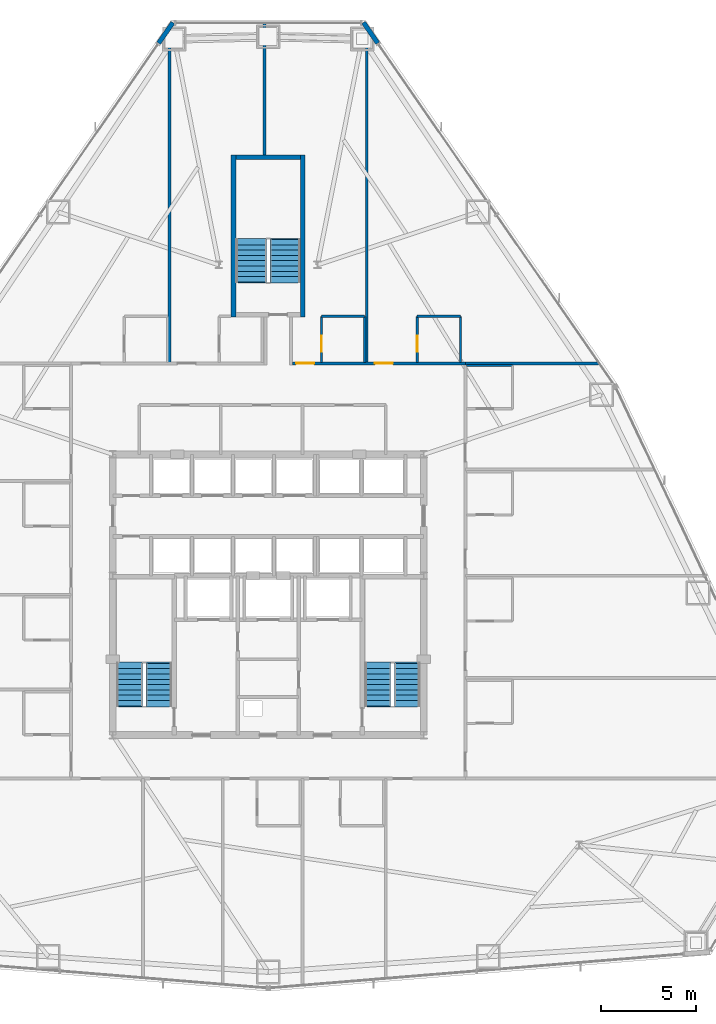
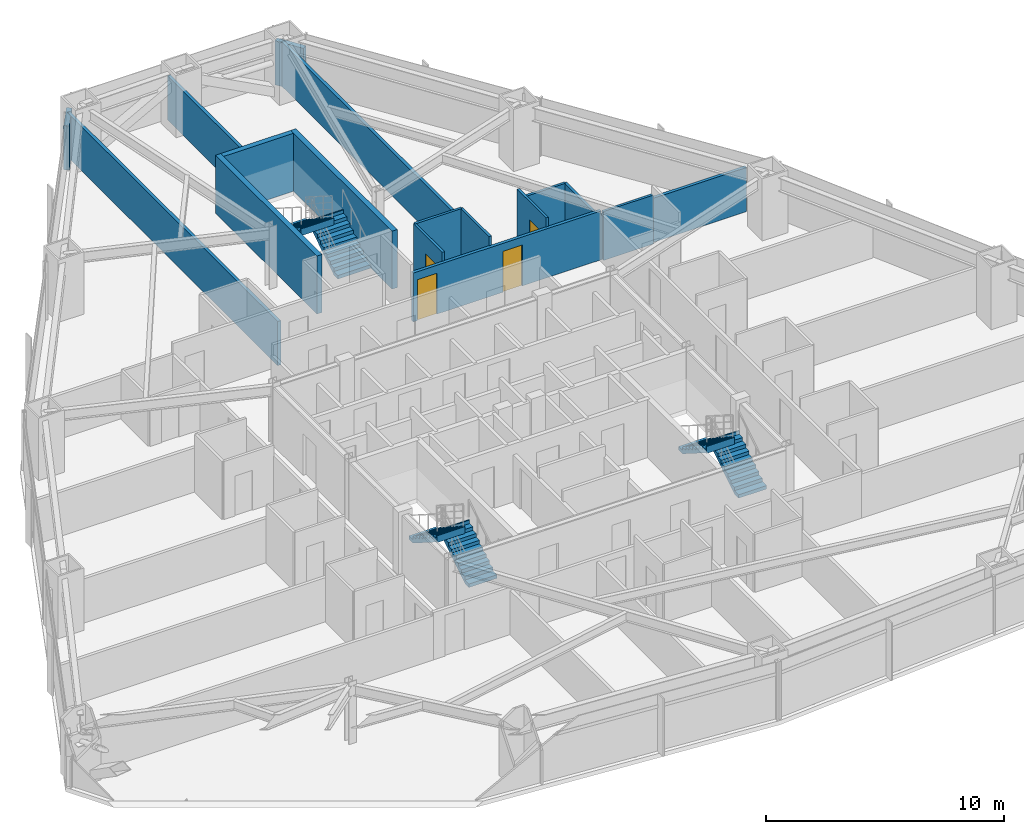
# One storey, part 12 of 13: 17 walls, 6 stair flights, 4 doors, 4 openings, 3 elements without a shape of their own.
"""IFC4 building model written with IfcOpenShell, lengths in metres."""

from ifc_helpers import new_model, si_unit, direction, frame, frame_2d, origin, place, context, subcontext, project, spatial, polyline, rectangle, outline, extrude, material, layer, layer_set, type_object, element, fill, aggregate, save


model = new_model("IFC4")

# Units and contexts
model_context = context("Model", 3, precision=1e-05, world=origin(), true_north=direction((0.0, 1.0)))
body_context = subcontext(model_context, "Body", "Model", "MODEL_VIEW")
ifc_project = project(units=[si_unit("LENGTHUNIT", "METRE"), si_unit("AREAUNIT", "SQUARE_METRE"), si_unit("VOLUMEUNIT", "CUBIC_METRE"), si_unit("PLANEANGLEUNIT", "RADIAN"), si_unit("MASSUNIT", "GRAM", prefix="KILO")], contexts=[model_context])

# Site, building, storey
site_placement = place(None, origin())
site = spatial("IfcSite", under=ifc_project, at=site_placement, CompositionType="ELEMENT")
building_placement = place(site_placement, origin())
building = spatial("IfcBuilding", under=site, at=building_placement, Name="Varakhsha Concourse Tower", CompositionType="ELEMENT")
storey_placement = place(building_placement, frame((0.0, 0.0, 46.39990234375)))
storey = spatial("IfcBuildingStorey", under=building, at=storey_placement, Name="L12", CompositionType="ELEMENT", Elevation=46.39990234375)

# Walls
ifc_material_1 = material(Name="Concrete fc 45 MPa", Category="concrete")
ifc_layer_1 = layer(ifc_material_1, 0.239990234375, Name="WL-EXT-CRN-240")
ifc_layer_set_1 = layer_set([ifc_layer_1], Name="Concrete fc 45 MPa")
wall_type_1 = type_object("IfcWallType", Name="WL-EXT-CRN-240", PredefinedType="SHEAR", material=ifc_layer_set_1)
for number, where, z_axis, x_axis, name in (
    (1, (34.972900390625, 53.982421875, 0.0), (0.0, 0.0, 1.0), (-0.569066739455, -0.82229133891, 0.0), "L12 Wind-Corner Shoulder Wall F2"),
    (2, (45.78369140625, 52.88916015625, 0.0), (0.0, 0.0, 1.0), (-0.569066739455, 0.82229133891, 0.0), "L12 Wind-Corner Shoulder Wall F9"),
):
    element("IfcWall", number, at=place(storey_placement, frame(where, z_axis=z_axis, x_axis=x_axis)), inside=storey, type_object=wall_type_1, Name=name, PredefinedType="SHEAR", context=body_context, shape_type="SweptSolid", body=[
        extrude(rectangle(XDim=1.32958984375, YDim=0.239990234375, at=frame_2d((0.664794921875, 0.0))), origin(), (0.0, 0.0, 1.0), 2.26318359375),
    ])
ifc_material_2 = material(Name="Acoustic Gypsum Board Partition Assembly", Category="gypsum")
ifc_layer_2 = layer(ifc_material_2, 0.1201171875, Name="WL-PART-120")
ifc_layer_set_2 = layer_set([ifc_layer_2], Name="Acoustic Gypsum Board Partition Assembly")
wall_type_2 = type_object("IfcWallType", Name="WL-PART-120", PredefinedType="PARTITIONING", material=ifc_layer_set_2)
wall_1_placement = place(storey_placement, frame((50.4599609375, 35.889892578125, 0.0), z_axis=(0.0, 0.0, 1.0), x_axis=(1.0, 0.0, 0.0)))
element("IfcWall", 3, at=wall_1_placement, inside=storey, type_object=wall_type_2, Name="L12 Wall ENSW-N-L12-H13", PredefinedType="PARTITIONING", context=body_context, shape_type="SweptSolid", body=[
    extrude(rectangle(XDim=2.429931640625, YDim=0.1201171875, at=frame_2d((1.21484375, 0.0))), origin(), (0.0, 0.0, 1.0), 2.51318359375),
])

# Wall, opening, door
wall_2_placement = place(storey_placement, frame((42.81005859375, 36.06005859375, 0.0), z_axis=(0.0, 0.0, 1.0), x_axis=(0.0, 1.0, 0.0)))
wall_2 = element("IfcWall", 4, at=wall_2_placement, inside=storey, type_object=wall_type_2, Name="L12 Wall ENSW-W-L12-H16", PredefinedType="PARTITIONING", context=body_context, shape_type="SweptSolid", body=[
    extrude(rectangle(XDim=2.429931640625, YDim=0.1201171875, at=frame_2d((1.21484375, 0.0))), origin(), (0.0, 0.0, 1.0), 2.97998046875),
])
opening_1_placement = place(wall_2_placement, frame((0.550048828125, 0.0, 0.0)))
opening_1 = element("IfcOpeningElement", 5, at=opening_1_placement, cuts=wall_2, Name="Opening DI-01", PredefinedType="OPENING", context=body_context, shape_type="SweptSolid", body=[
    extrude(rectangle(XDim=0.85009765625, YDim=2.050048828125, at=frame_2d((0.425048828125, 1.02490234375))), frame((0.0, 0.070068359375, 0.0), z_axis=(0.0, -1.0, 0.0), x_axis=(1.0, 0.0, 0.0)), (0.0, 0.0, 1.0), 0.14013671875),
])
ifc_material_3 = material(Name="Architectural Walnut Acoustic Timber Door", Category="wood")
door_type_1 = type_object("IfcDoorType", Name="DR-INT-850", OperationType="NOTDEFINED", PredefinedType="DOOR", material=ifc_material_3)
door_1_placement = place(opening_1_placement, origin())
door_1 = element("IfcDoor", 6, at=door_1_placement, inside=storey, type_object=door_type_1, Name="L12 En-suite Bathroom Door L12-H16", OperationType="SINGLE_SWING_RIGHT", OverallHeight=2.050048828125, OverallWidth=0.85009765625, PredefinedType="DOOR", context=body_context, shape_type="SweptSolid", body=[
    extrude(rectangle(XDim=0.85009765625, YDim=2.050048828125, at=frame_2d((0.425048828125, 1.02490234375))), frame((0.0, 0.02490234375, 0.0), z_axis=(0.0, -1.0, 0.0), x_axis=(1.0, 0.0, 0.0)), (0.0, 0.0, 1.0), 0.050048828125),
])
fill(opening_1, door_1)

# Walls
wall_3_placement = place(storey_placement, frame((45.090087890625, 36.06005859375, 0.0), z_axis=(0.0, 0.0, 1.0), x_axis=(0.0, 1.0, 0.0)))
element("IfcWall", 7, at=wall_3_placement, inside=storey, type_object=wall_type_2, Name="L12 Wall ENSW-E-L12-H16", PredefinedType="PARTITIONING", context=body_context, shape_type="SweptSolid", body=[
    extrude(rectangle(XDim=2.429931640625, YDim=0.1201171875, at=frame_2d((1.21484375, 0.0))), origin(), (0.0, 0.0, 1.0), 2.97998046875),
])
wall_4_placement = place(storey_placement, frame((42.81005859375, 38.489990234375, 0.0), z_axis=(0.0, 0.0, 1.0), x_axis=(1.0, 0.0, 0.0)))
element("IfcWall", 8, at=wall_4_placement, inside=storey, type_object=wall_type_2, Name="L12 Wall ENSW-N-L12-H16", PredefinedType="PARTITIONING", context=body_context, shape_type="SweptSolid", body=[
    extrude(rectangle(XDim=2.280029296875, YDim=0.1201171875, at=frame_2d((1.14013671875, 0.0))), origin(), (0.0, 0.0, 1.0), 2.97998046875),
])

# Wall, opening, door
wall_5_placement = place(storey_placement, frame((47.860107421875, 36.06005859375, 0.0), z_axis=(0.0, 0.0, 1.0), x_axis=(0.0, 1.0, 0.0)))
wall_5 = element("IfcWall", 9, at=wall_5_placement, inside=storey, type_object=wall_type_2, Name="L12 Wall ENSW-W-L12-H17", PredefinedType="PARTITIONING", context=body_context, shape_type="SweptSolid", body=[
    extrude(rectangle(XDim=2.429931640625, YDim=0.1201171875, at=frame_2d((1.21484375, 0.0))), origin(), (0.0, 0.0, 1.0), 2.97998046875),
])
opening_2_placement = place(wall_5_placement, frame((0.550048828125, 0.0, 0.0)))
opening_2 = element("IfcOpeningElement", 10, at=opening_2_placement, cuts=wall_5, Name="Opening DI-01", PredefinedType="OPENING", context=body_context, shape_type="SweptSolid", body=[
    extrude(rectangle(XDim=0.85009765625, YDim=2.050048828125, at=frame_2d((0.425048828125, 1.02490234375))), frame((0.0, 0.070068359375, 0.0), z_axis=(0.0, -1.0, 0.0), x_axis=(1.0, 0.0, 0.0)), (0.0, 0.0, 1.0), 0.14013671875),
])
door_2_placement = place(opening_2_placement, origin())
door_2 = element("IfcDoor", 11, at=door_2_placement, inside=storey, type_object=door_type_1, Name="L12 En-suite Bathroom Door L12-H17", OperationType="SINGLE_SWING_RIGHT", OverallHeight=2.050048828125, OverallWidth=0.85009765625, PredefinedType="DOOR", context=body_context, shape_type="SweptSolid", body=[
    extrude(rectangle(XDim=0.85009765625, YDim=2.050048828125, at=frame_2d((0.425048828125, 1.02490234375))), frame((0.0, 0.02490234375, 0.0), z_axis=(0.0, -1.0, 0.0), x_axis=(1.0, 0.0, 0.0)), (0.0, 0.0, 1.0), 0.050048828125),
])
fill(opening_2, door_2)

# Walls
wall_6_placement = place(storey_placement, frame((50.139892578125, 36.06005859375, 0.0), z_axis=(0.0, 0.0, 1.0), x_axis=(0.0, 1.0, 0.0)))
element("IfcWall", 12, at=wall_6_placement, inside=storey, type_object=wall_type_2, Name="L12 Wall ENSW-E-L12-H17", PredefinedType="PARTITIONING", context=body_context, shape_type="SweptSolid", body=[
    extrude(rectangle(XDim=2.429931640625, YDim=0.1201171875, at=frame_2d((1.21484375, 0.0))), origin(), (0.0, 0.0, 1.0), 2.51318359375),
])
wall_7_placement = place(storey_placement, frame((47.860107421875, 38.489990234375, 0.0), z_axis=(0.0, 0.0, 1.0), x_axis=(1.0, 0.0, 0.0)))
element("IfcWall", 13, at=wall_7_placement, inside=storey, type_object=wall_type_2, Name="L12 Wall ENSW-N-L12-H17", PredefinedType="PARTITIONING", context=body_context, shape_type="SweptSolid", body=[
    extrude(rectangle(XDim=2.27978515625, YDim=0.1201171875, at=frame_2d((1.139892578125, 0.0))), origin(), (0.0, 0.0, 1.0), 2.51318359375),
])

# Wall, openings, doors
ifc_material_4 = material(Name="Fire-Rated Type X Gypsum Partition Assembly", Category="gypsum")
ifc_layer_3 = layer(ifc_material_4, 0.14990234375, Name="WL-PART-150")
ifc_layer_set_3 = layer_set([ifc_layer_3], Name="Fire-Rated Type X Gypsum Partition Assembly")
wall_type_3 = type_object("IfcWallType", Name="WL-PART-150", PredefinedType="PARTITIONING", material=ifc_layer_set_3)
wall_8_placement = place(storey_placement, frame((41.27490234375, 36.0, 0.0), z_axis=(0.0, 0.0, 1.0), x_axis=(1.0, 0.0, 0.0)))
wall_8 = element("IfcWall", 14, at=wall_8_placement, inside=storey, type_object=wall_type_3, Name="L12 Wall CRW-N-L12-B", PredefinedType="PARTITIONING", context=body_context, shape_type="SweptSolid", body=[
    extrude(rectangle(XDim=9.125, YDim=0.14990234375, at=frame_2d((4.5625, 0.0))), origin(), (0.0, 0.0, 1.0), 2.51318359375),
])
opening_3_placement = place(wall_8_placement, frame((0.199951171875, 0.0, 0.0)))
opening_3 = element("IfcOpeningElement", 15, at=opening_3_placement, cuts=wall_8, Name="Opening DF-05", PredefinedType="OPENING", context=body_context, shape_type="SweptSolid", body=[
    extrude(rectangle(XDim=0.949951171875, YDim=2.10009765625, at=frame_2d((0.47509765625, 1.050048828125))), frame((0.0, 0.0849609375, 0.0), z_axis=(0.0, -1.0, 0.0), x_axis=(1.0, 0.0, 0.0)), (0.0, 0.0, 1.0), 0.169921875),
])
opening_4_placement = place(wall_8_placement, frame((4.344970703125, 0.0, 0.0)))
opening_4 = element("IfcOpeningElement", 16, at=opening_4_placement, cuts=wall_8, Name="Opening DF-05", PredefinedType="OPENING", context=body_context, shape_type="SweptSolid", body=[
    extrude(rectangle(XDim=0.949951171875, YDim=2.10009765625, at=frame_2d((0.47509765625, 1.050048828125))), frame((0.0, 0.0849609375, 0.0), z_axis=(0.0, -1.0, 0.0), x_axis=(1.0, 0.0, 0.0)), (0.0, 0.0, 1.0), 0.169921875),
])
ifc_material_5 = material(Name="Hollow Galvanised Steel Fire Door Assembly", Category="steel")
door_type_2 = type_object("IfcDoorType", Name="DR-FD60-950", OperationType="NOTDEFINED", PredefinedType="DOOR", material=ifc_material_5)
door_3_placement = place(opening_3_placement, origin())
door_3 = element("IfcDoor", 17, at=door_3_placement, inside=storey, type_object=door_type_2, Name="L12 Hotel Corner Suite L12-H16 Entry Door", OperationType="SINGLE_SWING_RIGHT", OverallHeight=2.10009765625, OverallWidth=0.949951171875, PredefinedType="DOOR", context=body_context, shape_type="SweptSolid", body=[
    extrude(rectangle(XDim=0.949951171875, YDim=2.10009765625, at=frame_2d((0.47509765625, 1.050048828125))), frame((0.0, 0.02490234375, 0.0), z_axis=(0.0, -1.0, 0.0), x_axis=(1.0, 0.0, 0.0)), (0.0, 0.0, 1.0), 0.050048828125),
])
fill(opening_3, door_3)
door_4_placement = place(opening_4_placement, origin())
door_4 = element("IfcDoor", 18, at=door_4_placement, inside=storey, type_object=door_type_2, Name="L12 Hotel Corner Suite L12-H17 Entry Door", OperationType="SINGLE_SWING_LEFT", OverallHeight=2.10009765625, OverallWidth=0.949951171875, PredefinedType="DOOR", context=body_context, shape_type="SweptSolid", body=[
    extrude(rectangle(XDim=0.949951171875, YDim=2.10009765625, at=frame_2d((0.47509765625, 1.050048828125))), frame((0.0, 0.02490234375, 0.0), z_axis=(0.0, -1.0, 0.0), x_axis=(1.0, 0.0, 0.0)), (0.0, 0.0, 1.0), 0.050048828125),
])
fill(opening_4, door_4)

# Walls
wall_9_placement = place(storey_placement, frame((50.39990234375, 36.0, 0.0), z_axis=(0.0, 0.0, 1.0), x_axis=(1.0, 0.0, 0.0)))
element("IfcWall", 19, at=wall_9_placement, inside=storey, type_object=wall_type_3, Name="L12 Wall HDIV-EBN-L12", PredefinedType="PARTITIONING", context=body_context, shape_type="SweptSolid", body=[
    extrude(rectangle(XDim=7.0654296875, YDim=0.14990234375, at=frame_2d((3.53271484375, 0.0))), origin(), (0.0, 0.0, 1.0), 2.26806640625),
])
wall_10_placement = place(storey_placement, frame((34.800048828125, 36.0, 0.0), z_axis=(0.0, 0.0, 1.0), x_axis=(0.0, 1.0, 0.0)))
element("IfcWall", 20, at=wall_10_placement, inside=storey, type_object=wall_type_3, Name="L12 Wall HDIV-N1-L12", PredefinedType="PARTITIONING", context=body_context, shape_type="SweptSolid", body=[
    extrude(rectangle(XDim=17.723876953125, YDim=0.14990234375, at=frame_2d((8.86181640625, 0.0))), origin(), (0.0, 0.0, 1.0), 2.26806640625),
])
wall_11_placement = place(storey_placement, frame((39.800048828125, 47.0, 0.0), z_axis=(0.0, 0.0, 1.0), x_axis=(0.0, 1.0, 0.0)))
element("IfcWall", 21, at=wall_11_placement, inside=storey, type_object=wall_type_3, Name="L12 Wall HDIV-N2-L12", PredefinedType="PARTITIONING", context=body_context, shape_type="SweptSolid", body=[
    extrude(rectangle(XDim=6.9521484375, YDim=0.14990234375, at=frame_2d((3.47607421875, 0.0))), origin(), (0.0, 0.0, 1.0), 2.26806640625),
])
wall_12_placement = place(storey_placement, frame((45.199951171875, 36.0, 0.0), z_axis=(0.0, 0.0, 1.0), x_axis=(0.0, 1.0, 0.0)))
element("IfcWall", 22, at=wall_12_placement, inside=storey, type_object=wall_type_3, Name="L12 Wall HDIV-N3-L12", PredefinedType="PARTITIONING", context=body_context, shape_type="SweptSolid", body=[
    extrude(rectangle(XDim=17.723876953125, YDim=0.14990234375, at=frame_2d((8.86181640625, 0.0))), origin(), (0.0, 0.0, 1.0), 2.26806640625),
])
ifc_layer_4 = layer(ifc_material_1, 0.25, Name="WL-STAIR-250")
ifc_layer_set_4 = layer_set([ifc_layer_4], Name="Concrete fc 45 MPa")
wall_type_4 = type_object("IfcWallType", Name="WL-STAIR-250", PredefinedType="SHEAR", material=ifc_layer_set_4)
for number, where, z_axis, x_axis, name in (
    (23, (38.175048828125, 38.449951171875, 0.0), (0.0, 0.0, 1.0), (0.0, 1.0, 0.0), "L12 Wall SWALL-ST5-W-L12"),
    (24, (41.824951171875, 38.449951171875, 0.0), (0.0, 0.0, 1.0), (0.0, 1.0, 0.0), "L12 Wall SWALL-ST5-E-L12"),
):
    element("IfcWall", number, at=place(storey_placement, frame(where, z_axis=z_axis, x_axis=x_axis)), inside=storey, type_object=wall_type_4, Name=name, PredefinedType="SHEAR", context=body_context, shape_type="SweptSolid", body=[
        extrude(rectangle(XDim=8.550048828125, YDim=0.25, at=frame_2d((4.27490234375, 0.0))), origin(), (0.0, 0.0, 1.0), 2.97998046875),
    ])
wall_13_placement = place(storey_placement, frame((38.300048828125, 46.875, 0.0), z_axis=(0.0, 0.0, 1.0), x_axis=(1.0, 0.0, 0.0)))
element("IfcWall", 25, at=wall_13_placement, inside=storey, type_object=wall_type_4, Name="L12 Wall SWALL-ST5-N-L12", PredefinedType="SHEAR", context=body_context, shape_type="SweptSolid", body=[
    extrude(rectangle(XDim=3.39990234375, YDim=0.25, at=frame_2d((1.699951171875, 0.0))), origin(), (0.0, 0.0, 1.0), 2.97998046875),
])

# Stair, stair flights
stair_type_1 = type_object("IfcStairType", Name="ST-DOGLEG-1360", PredefinedType="HALF_TURN_STAIR", material=ifc_material_1)
stair_1_placement = place(storey_placement, origin())
stair_1 = element("IfcStair", 26, at=stair_1_placement, inside=storey, type_object=stair_type_1, Name="L12 Protected Exit Stair ST1", PredefinedType="HALF_TURN_STAIR")
stair_flight_type_1 = type_object("IfcStairFlightType", Name="STF-1360-R1778", PredefinedType="STRAIGHT", material=ifc_material_1)
stair_flight_1_placement = place(storey_placement, frame((34.239990234375, 17.93994140625, 0.0), z_axis=(0.0, 0.0, 1.0), x_axis=(0.0, 1.0, 0.0)))
stair_flight_1 = element("IfcStairFlight", 27, at=stair_flight_1_placement, type_object=stair_flight_type_1, Name="ST1 flight 1", NumberOfRisers=9, NumberOfTreads=8, PredefinedType="STRAIGHT", RiserHeight=0.177777778, TreadLength=0.28, context=body_context, shape_type="SweptSolid", body=[
    extrude(outline(polyline([(-0.06005859375, 0.0), (-0.06005859375, 0.177734375), (0.0, 0.177734375), (0.280029296875, 0.177734375), (0.280029296875, 0.35546875), (0.56005859375, 0.35546875), (0.56005859375, 0.533447265625), (0.840087890625, 0.533447265625), (0.840087890625, 0.711181640625), (1.1201171875, 0.711181640625), (1.1201171875, 0.888916015625), (1.39990234375, 0.888916015625), (1.39990234375, 1.066650390625), (1.679931640625, 1.066650390625), (1.679931640625, 1.244384765625), (1.9599609375, 1.244384765625), (1.9599609375, 1.422119140625), (2.239990234375, 1.422119140625), (2.239990234375, 1.60009765625), (2.300048828125, 1.60009765625), (2.300048828125, 1.24462890625), (2.239990234375, 1.24462890625), (0.27978515625, 0.0), (-0.06005859375, 0.0)])), frame((0.0, 0.68017578125, 0.0), z_axis=(0.0, -1.0, 0.0), x_axis=(1.0, 0.0, 0.0)), (0.0, 0.0, 1.0), 1.360107421875),
])
stair_flight_2_placement = place(storey_placement, frame((32.679931640625, 20.179931640625, 1.60009765625), z_axis=(0.0, 0.0, 1.0), x_axis=(0.0, -1.0, 0.0)))
stair_flight_2 = element("IfcStairFlight", 28, at=stair_flight_2_placement, type_object=stair_flight_type_1, Name="ST1 flight 2", NumberOfRisers=9, NumberOfTreads=8, PredefinedType="STRAIGHT", RiserHeight=0.177777778, TreadLength=0.28, context=body_context, shape_type="SweptSolid", body=[
    extrude(outline(polyline([(-0.06005859375, 0.0), (-0.06005859375, 0.177734375), (0.0, 0.177734375), (0.280029296875, 0.177734375), (0.280029296875, 0.35546875), (0.56005859375, 0.35546875), (0.56005859375, 0.533447265625), (0.840087890625, 0.533447265625), (0.840087890625, 0.711181640625), (1.1201171875, 0.711181640625), (1.1201171875, 0.888916015625), (1.39990234375, 0.888916015625), (1.39990234375, 1.066650390625), (1.679931640625, 1.066650390625), (1.679931640625, 1.244384765625), (1.9599609375, 1.244384765625), (1.9599609375, 1.422119140625), (2.239990234375, 1.422119140625), (2.239990234375, 1.60009765625), (2.300048828125, 1.60009765625), (2.300048828125, 1.24462890625), (2.239990234375, 1.24462890625), (0.27978515625, 0.0), (-0.06005859375, 0.0)])), frame((0.0, 0.68017578125, 0.0), z_axis=(0.0, -1.0, 0.0), x_axis=(1.0, 0.0, 0.0)), (0.0, 0.0, 1.0), 1.360107421875),
])
aggregate(stair_1, [stair_flight_1, stair_flight_2])

stair_2_placement = place(storey_placement, origin())
stair_2 = element("IfcStair", 29, at=stair_2_placement, inside=storey, type_object=stair_type_1, Name="L12 Protected Exit Stair ST2", PredefinedType="HALF_TURN_STAIR")
stair_flight_3_placement = place(storey_placement, frame((47.340087890625, 17.93994140625, 0.0), z_axis=(0.0, 0.0, 1.0), x_axis=(0.0, 1.0, 0.0)))
stair_flight_3 = element("IfcStairFlight", 30, at=stair_flight_3_placement, type_object=stair_flight_type_1, Name="ST2 flight 1", NumberOfRisers=9, NumberOfTreads=8, PredefinedType="STRAIGHT", RiserHeight=0.177777778, TreadLength=0.28, context=body_context, shape_type="SweptSolid", body=[
    extrude(outline(polyline([(-0.06005859375, 0.0), (-0.06005859375, 0.177734375), (0.0, 0.177734375), (0.280029296875, 0.177734375), (0.280029296875, 0.35546875), (0.56005859375, 0.35546875), (0.56005859375, 0.533447265625), (0.840087890625, 0.533447265625), (0.840087890625, 0.711181640625), (1.1201171875, 0.711181640625), (1.1201171875, 0.888916015625), (1.39990234375, 0.888916015625), (1.39990234375, 1.066650390625), (1.679931640625, 1.066650390625), (1.679931640625, 1.244384765625), (1.9599609375, 1.244384765625), (1.9599609375, 1.422119140625), (2.239990234375, 1.422119140625), (2.239990234375, 1.60009765625), (2.300048828125, 1.60009765625), (2.300048828125, 1.24462890625), (2.239990234375, 1.24462890625), (0.27978515625, 0.0), (-0.06005859375, 0.0)])), frame((0.0, 0.68017578125, 0.0), z_axis=(0.0, -1.0, 0.0), x_axis=(1.0, 0.0, 0.0)), (0.0, 0.0, 1.0), 1.360107421875),
])
stair_flight_4_placement = place(storey_placement, frame((45.780029296875, 20.179931640625, 1.60009765625), z_axis=(0.0, 0.0, 1.0), x_axis=(0.0, -1.0, 0.0)))
stair_flight_4 = element("IfcStairFlight", 31, at=stair_flight_4_placement, type_object=stair_flight_type_1, Name="ST2 flight 2", NumberOfRisers=9, NumberOfTreads=8, PredefinedType="STRAIGHT", RiserHeight=0.177777778, TreadLength=0.28, context=body_context, shape_type="SweptSolid", body=[
    extrude(outline(polyline([(-0.06005859375, 0.0), (-0.06005859375, 0.177734375), (0.0, 0.177734375), (0.280029296875, 0.177734375), (0.280029296875, 0.35546875), (0.56005859375, 0.35546875), (0.56005859375, 0.533447265625), (0.840087890625, 0.533447265625), (0.840087890625, 0.711181640625), (1.1201171875, 0.711181640625), (1.1201171875, 0.888916015625), (1.39990234375, 0.888916015625), (1.39990234375, 1.066650390625), (1.679931640625, 1.066650390625), (1.679931640625, 1.244384765625), (1.9599609375, 1.244384765625), (1.9599609375, 1.422119140625), (2.239990234375, 1.422119140625), (2.239990234375, 1.60009765625), (2.300048828125, 1.60009765625), (2.300048828125, 1.24462890625), (2.239990234375, 1.24462890625), (0.27978515625, 0.0), (-0.06005859375, 0.0)])), frame((0.0, 0.68017578125, 0.0), z_axis=(0.0, -1.0, 0.0), x_axis=(1.0, 0.0, 0.0)), (0.0, 0.0, 1.0), 1.360107421875),
])
aggregate(stair_2, [stair_flight_3, stair_flight_4])

stair_type_2 = type_object("IfcStairType", Name="ST-DOGLEG-1600", PredefinedType="HALF_TURN_STAIR", material=ifc_material_1)
stair_3_placement = place(storey_placement, origin())
stair_3 = element("IfcStair", 32, at=stair_3_placement, inside=storey, type_object=stair_type_2, Name="L12 Protected Exit Stair ST5", PredefinedType="HALF_TURN_STAIR")
stair_flight_type_2 = type_object("IfcStairFlightType", Name="STF-1600-R1778", PredefinedType="STRAIGHT", material=ifc_material_1)
stair_flight_5_placement = place(storey_placement, frame((40.89990234375, 40.300048828125, 0.0), z_axis=(0.0, 0.0, 1.0), x_axis=(0.0, 1.0, 0.0)))
stair_flight_5 = element("IfcStairFlight", 33, at=stair_flight_5_placement, type_object=stair_flight_type_2, Name="ST5 flight 1", NumberOfRisers=9, NumberOfTreads=8, PredefinedType="STRAIGHT", RiserHeight=0.177777778, TreadLength=0.28, context=body_context, shape_type="SweptSolid", body=[
    extrude(outline(polyline([(-0.06005859375, 0.0), (-0.06005859375, 0.177734375), (0.0, 0.177734375), (0.280029296875, 0.177734375), (0.280029296875, 0.35546875), (0.56005859375, 0.35546875), (0.56005859375, 0.533447265625), (0.840087890625, 0.533447265625), (0.840087890625, 0.711181640625), (1.1201171875, 0.711181640625), (1.1201171875, 0.888916015625), (1.39990234375, 0.888916015625), (1.39990234375, 1.066650390625), (1.679931640625, 1.066650390625), (1.679931640625, 1.244384765625), (1.9599609375, 1.244384765625), (1.9599609375, 1.422119140625), (2.239990234375, 1.422119140625), (2.239990234375, 1.60009765625), (2.300048828125, 1.60009765625), (2.300048828125, 1.24462890625), (2.239990234375, 1.24462890625), (0.27978515625, 0.0), (-0.06005859375, 0.0)])), frame((0.0, 0.800048828125, 0.0), z_axis=(0.0, -1.0, 0.0), x_axis=(1.0, 0.0, 0.0)), (0.0, 0.0, 1.0), 1.60009765625),
])
stair_flight_6_placement = place(storey_placement, frame((39.10009765625, 42.5400390625, 1.60009765625), z_axis=(0.0, 0.0, 1.0), x_axis=(0.0, -1.0, 0.0)))
stair_flight_6 = element("IfcStairFlight", 34, at=stair_flight_6_placement, type_object=stair_flight_type_2, Name="ST5 flight 2", NumberOfRisers=9, NumberOfTreads=8, PredefinedType="STRAIGHT", RiserHeight=0.177777778, TreadLength=0.28, context=body_context, shape_type="SweptSolid", body=[
    extrude(outline(polyline([(-0.06005859375, 0.0), (-0.06005859375, 0.177734375), (0.0, 0.177734375), (0.280029296875, 0.177734375), (0.280029296875, 0.35546875), (0.56005859375, 0.35546875), (0.56005859375, 0.533447265625), (0.840087890625, 0.533447265625), (0.840087890625, 0.711181640625), (1.1201171875, 0.711181640625), (1.1201171875, 0.888916015625), (1.39990234375, 0.888916015625), (1.39990234375, 1.066650390625), (1.679931640625, 1.066650390625), (1.679931640625, 1.244384765625), (1.9599609375, 1.244384765625), (1.9599609375, 1.422119140625), (2.239990234375, 1.422119140625), (2.239990234375, 1.60009765625), (2.300048828125, 1.60009765625), (2.300048828125, 1.24462890625), (2.239990234375, 1.24462890625), (0.27978515625, 0.0), (-0.06005859375, 0.0)])), frame((0.0, 0.800048828125, 0.0), z_axis=(0.0, -1.0, 0.0), x_axis=(1.0, 0.0, 0.0)), (0.0, 0.0, 1.0), 1.60009765625),
])
aggregate(stair_3, [stair_flight_5, stair_flight_6])

save(model, "model.ifc")
